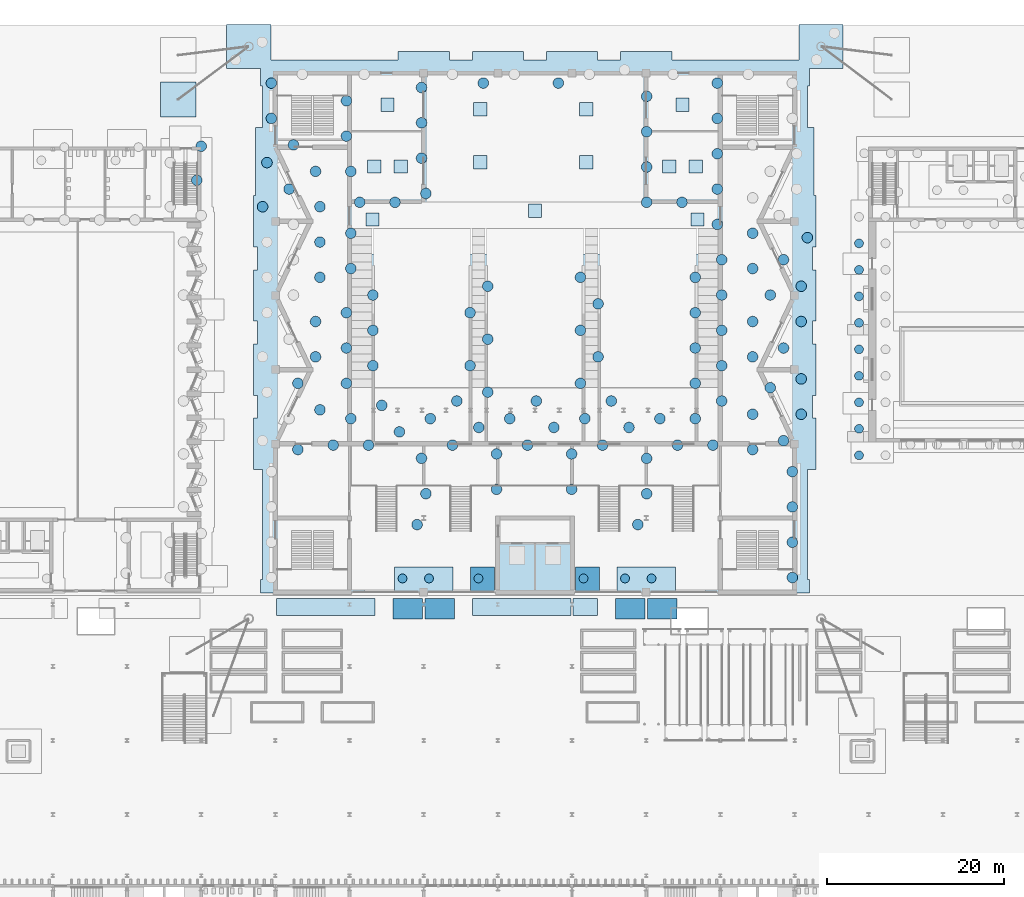
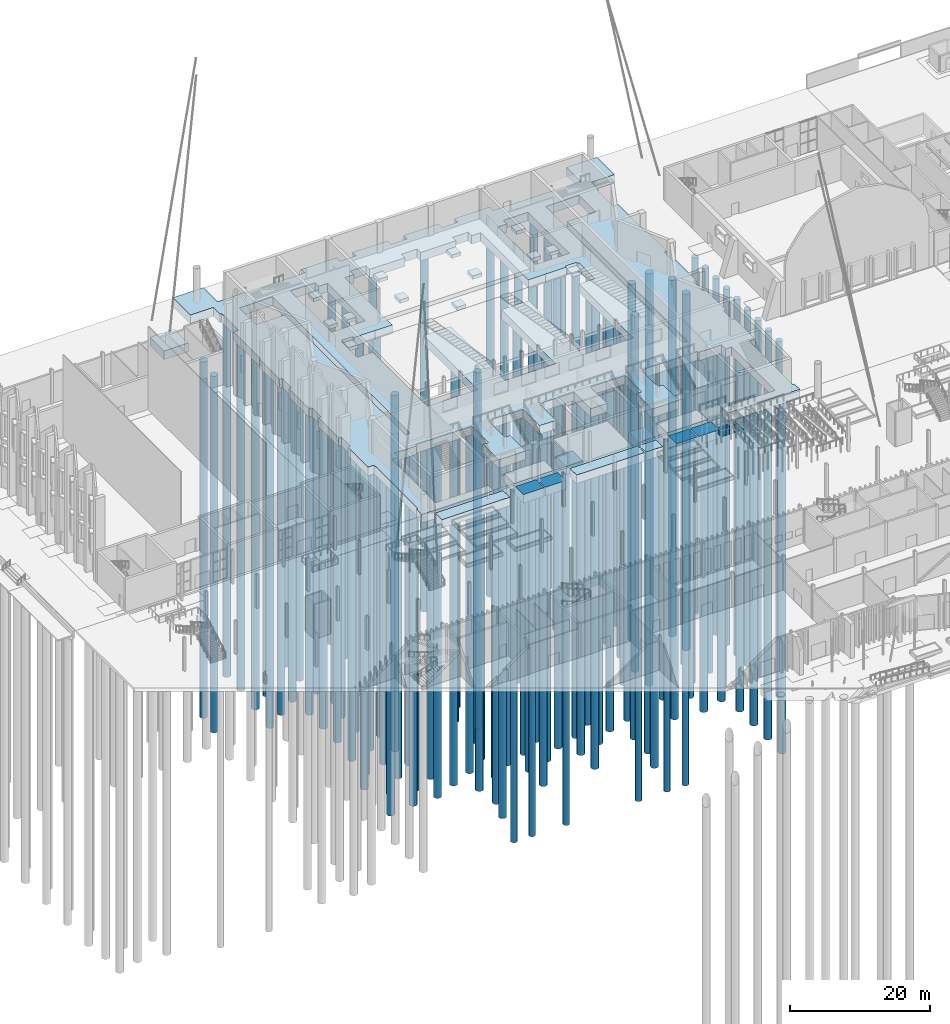
# One storey, part 2 of 108: 131 piles, 25 footings.
"""IFC4 building model written with IfcOpenShell, lengths in metres."""

import ifcopenshell
import ifcopenshell.guid

model = None  # the IFC model being written
_history = None  # IfcOwnerHistory: only IFC2X3 demands one
_inside = {}  # id of a spatial element -> (the spatial element, [elements in it])
_under = {}  # id of a project, library or spatial element -> (it, [spatial elements below it])
_declared = {}  # id of a project -> (the project, [libraries it declares])
_typed = {}  # id of a type object -> (the type object, [elements of that type])
_made_of = {}  # id of a material, layer set ... -> (it, [elements and type objects made of it])


def new_model(schema):
    """Start an empty IFC model of exactly this schema.

    Asked for "IFC4X3", IfcOpenShell would pick the latest addendum, in which some entities
    have other attributes; the version numbers below select the first issue.
    IFC2X3 requires an IfcOwnerHistory on every rooted entity: one is made here for all.
    """
    global model, _history
    if schema == "IFC4X3":
        model = ifcopenshell.file(schema_version=(4, 3, 0, 0))
    else:
        model = ifcopenshell.file(schema=schema)
    _inside.clear()
    _under.clear()
    _declared.clear()
    _typed.clear()
    _made_of.clear()
    _history = None
    if model.schema == "IFC2X3":
        org = make("IfcOrganization", Name="unknown")
        user = make(
            "IfcPersonAndOrganization",
            ThePerson=make("IfcPerson", FamilyName="unknown"),
            TheOrganization=org,
        )
        app = make(
            "IfcApplication",
            ApplicationDeveloper=org,
            Version="unknown",
            ApplicationFullName="unknown",
            ApplicationIdentifier="unknown",
        )
        _history = make(
            "IfcOwnerHistory",
            OwningUser=user,
            OwningApplication=app,
            ChangeAction="ADDED",
            CreationDate=0,
        )
    return model


def make(cls, **values):
    """One entity of the class cls with the attributes given. An attribute that is None is left unset."""
    return model.create_entity(
        cls, **{name: value for name, value in values.items() if value is not None}
    )


def rooted(cls, **values):
    """An entity with a GlobalId (a new one), such as an element, a storey or a relation."""
    return make(cls, GlobalId=ifcopenshell.guid.new(), OwnerHistory=_history, **values)


def si_unit(unit_type, name, prefix=None):
    """IfcSIUnit, for example si_unit("LENGTHUNIT", "METRE", prefix="MILLI")."""
    return make("IfcSIUnit", UnitType=unit_type, Prefix=prefix, Name=name)


def assignment(units):
    """IfcUnitAssignment: the units of a project."""
    return None if units is None else make("IfcUnitAssignment", Units=units)


def point(xyz):
    """IfcCartesianPoint."""
    return None if xyz is None else make("IfcCartesianPoint", Coordinates=xyz)


def direction(xyz):
    """IfcDirection."""
    return None if xyz is None else make("IfcDirection", DirectionRatios=xyz)


def frame(location, z_axis=None, x_axis=None):
    """IfcAxis2Placement3D, a coordinate frame: its origin and axes. An axis left out is left unset."""
    return make(
        "IfcAxis2Placement3D",
        Location=point(location),
        Axis=direction(z_axis),
        RefDirection=direction(x_axis),
    )


def frame_2d(location, x_axis=None):
    """IfcAxis2Placement2D, a coordinate frame in the plane: its origin and x axis."""
    return make(
        "IfcAxis2Placement2D", Location=point(location), RefDirection=direction(x_axis)
    )


def origin():
    """The frame at (0, 0, 0) with its axes left unset."""
    return frame((0.0, 0.0, 0.0))


def origin_2d():
    """The frame at (0, 0) in the plane with its x axis left unset."""
    return frame_2d((0.0, 0.0))


def place(relative_to, where):
    """IfcLocalPlacement: puts the frame where relative to a parent placement (None: the world)."""
    return make(
        "IfcLocalPlacement", PlacementRelTo=relative_to, RelativePlacement=where
    )


def context(
    kind, dimensions, precision=None, world=None, true_north=None, identifier=None
):
    """IfcGeometricRepresentationContext, for example the 3D "Model" context."""
    return make(
        "IfcGeometricRepresentationContext",
        ContextIdentifier=identifier,
        ContextType=kind,
        CoordinateSpaceDimension=dimensions,
        Precision=precision,
        WorldCoordinateSystem=world,
        TrueNorth=true_north,
    )


def subcontext(parent, identifier, kind, view, scale=None):
    """IfcGeometricRepresentationSubContext, for example "Body" below "Model"."""
    return make(
        "IfcGeometricRepresentationSubContext",
        ContextIdentifier=identifier,
        ContextType=kind,
        ParentContext=parent,
        TargetScale=scale,
        TargetView=view,
    )


def project(units=None, contexts=None):
    """IfcProject with its units and contexts."""
    return rooted(
        "IfcProject",
        Name="project",
        RepresentationContexts=contexts,
        UnitsInContext=assignment(units),
    )


def spatial(cls, under=None, at=None, **own):
    """A site, building, storey or space (cls), placed at a placement, below another one or the project."""
    s = rooted(cls, ObjectPlacement=at, **own)
    if under is not None:
        _under.setdefault(under.id(), (under, []))[1].append(s)
    return s


def polyline(points):
    """IfcPolyline through the points."""
    return make("IfcPolyline", Points=[point(p) for p in points])


def profile(cls, at=None, kind="AREA", **sizes):
    """A parametric profile (cls). Its sizes go by their IFC names, for example OverallWidth=200.0."""
    return make(cls, ProfileType=kind, Position=at, **sizes)


def rectangle(**sizes):
    """IfcRectangleProfileDef."""
    return profile("IfcRectangleProfileDef", **sizes)


def circle(**sizes):
    """IfcCircleProfileDef."""
    return profile("IfcCircleProfileDef", **sizes)


def outline(outer, holes=None, kind="AREA"):
    """IfcArbitraryClosedProfileDef: a profile drawn as a closed curve; with holes, ...WithVoids."""
    if holes is None:
        return make("IfcArbitraryClosedProfileDef", ProfileType=kind, OuterCurve=outer)
    return make(
        "IfcArbitraryProfileDefWithVoids",
        ProfileType=kind,
        OuterCurve=outer,
        InnerCurves=holes,
    )


def extrude(swept, where, along, depth):
    """IfcExtrudedAreaSolid: the profile swept, set in the frame where, extruded along a direction by depth."""
    return make(
        "IfcExtrudedAreaSolid",
        SweptArea=swept,
        Position=where,
        ExtrudedDirection=direction(along),
        Depth=depth,
    )


def shape(context_of_items, identifier, shape_type, items):
    """IfcShapeRepresentation: the items that make up one representation, for example the "Body"."""
    return make(
        "IfcShapeRepresentation",
        ContextOfItems=context_of_items,
        RepresentationIdentifier=identifier,
        RepresentationType=shape_type,
        Items=items,
    )


def material(Name=None, Category=None):
    """IfcMaterial."""
    return make("IfcMaterial", Name=Name, Category=Category)


def made_of(thing, what):
    """Note that an element or type object is made of a material, layer set ...; save() writes the relation."""
    if what is not None:
        _made_of.setdefault(what.id(), (what, []))[1].append(thing)
    return thing


def type_object(cls, material=None, **own):
    """A type object (cls), such as IfcWallType, which elements share."""
    return made_of(rooted(cls, **own), material)


def element(
    cls,
    number,
    at=None,
    inside=None,
    cuts=None,
    type_object=None,
    material=None,
    context=None,
    identifier="Body",
    shape_type=None,
    held_by="IfcProductDefinitionShape",
    body=None,
    shapes=None,
    **own,
):
    """One element of the class cls, such as IfcWall. Its Tag is "e" and its number.

    at: its placement. inside: the storey or other place that contains it. cuts: it is an
    opening in that element (IfcRelVoidsElement). A single representation is given by context,
    identifier, shape_type and body (its items); several are given by shapes. held_by: the class
    of the entity that holds the representations. save() writes the other relations.
    """
    e = rooted(cls, Tag="e%d" % number, ObjectPlacement=at, **own)
    if body is not None:
        shapes = [shape(context, identifier, shape_type, body)]
    if shapes is not None:
        e.Representation = make(held_by, Representations=shapes)
    if inside is not None:
        _inside.setdefault(inside.id(), (inside, []))[1].append(e)
    if cuts is not None:
        rooted(
            "IfcRelVoidsElement", RelatingBuildingElement=cuts, RelatedOpeningElement=e
        )
    if type_object is not None:
        _typed.setdefault(type_object.id(), (type_object, []))[1].append(e)
    return made_of(e, material)


def aggregate(whole, parts):
    """IfcRelAggregates: a whole, such as a stair, and the parts it consists of."""
    return rooted("IfcRelAggregates", RelatingObject=whole, RelatedObjects=parts)


def save(model, path):
    """Write the relations noted so far, then the file.

    IfcRelAggregates (storeys below a building ...), IfcRelContainedInSpatialStructure (elements
    in a storey), IfcRelDefinesByType, IfcRelAssociatesMaterial and IfcRelDeclares: one each for
    every whole, place, type object, material and project.
    """
    for whole, parts in _under.values():
        aggregate(whole, parts)
    for where, things in _inside.values():
        rooted(
            "IfcRelContainedInSpatialStructure",
            RelatedElements=things,
            RelatingStructure=where,
        )
    for kind, things in _typed.values():
        rooted("IfcRelDefinesByType", RelatedObjects=things, RelatingType=kind)
    for what, things in _made_of.values():
        rooted("IfcRelAssociatesMaterial", RelatedObjects=things, RelatingMaterial=what)
    for by, libraries in _declared.values():
        rooted("IfcRelDeclares", RelatingContext=by, RelatedDefinitions=libraries)
    model.write(path)


model = new_model("IFC4")

# Units and contexts
model_context = context("Model", 3, precision=1e-05, world=origin(), true_north=direction((0.0, 1.0)))
body_context = subcontext(model_context, "Body", "Model", "MODEL_VIEW")
ifc_project = project(units=[si_unit("LENGTHUNIT", "METRE"), si_unit("AREAUNIT", "SQUARE_METRE"), si_unit("VOLUMEUNIT", "CUBIC_METRE"), si_unit("PLANEANGLEUNIT", "RADIAN"), si_unit("MASSUNIT", "GRAM", prefix="KILO")], contexts=[model_context])

# Site, building, storey
site_placement = place(None, origin())
site = spatial("IfcSite", under=ifc_project, at=site_placement, CompositionType="ELEMENT")
building_placement = place(site_placement, origin())
building = spatial("IfcBuilding", under=site, at=building_placement, Name="Cresset Court Congress Hotel", CompositionType="ELEMENT")
storey_placement = place(building_placement, origin())
storey = spatial("IfcBuildingStorey", under=building, at=storey_placement, Name="L00", CompositionType="ELEMENT", Elevation=0.0)

# Footing
ifc_material_1 = material(Name="Concrete C35", Category="concrete")
footing_type_1 = type_object("IfcFootingType", Name="Anchor block 4000x4000x1500", PredefinedType="PAD_FOOTING", material=ifc_material_1)
footing_1_placement = place(storey_placement, frame((47.800048828125, 114.60009765625, -1.800048828125), z_axis=(0.0, 0.0, 1.0), x_axis=(1.0, 0.0, 0.0)))
element("IfcFooting", 1, at=footing_1_placement, inside=storey, type_object=footing_type_1, Name="Anchor block M4.2", PredefinedType="PAD_FOOTING", context=body_context, shape_type="SweptSolid", body=[
    extrude(rectangle(XDim=4.0, YDim=4.0, at=origin_2d()), origin(), (0.0, 0.0, 1.0), 1.5),
])

# Piles
ifc_material_2 = material(Name="Concrete C35", Category="concrete")
pile_type_1 = type_object("IfcPileType", Name="Bored pile D1000", PredefinedType="BORED", material=ifc_material_2)
for number, where, z_axis, x_axis, name in (
    (2, (73.199951171875, 60.35009765625, -1.39990234375), (0.0, 0.0, -1.0), (1.0, 0.0, 0.0), "Pile 135-1"),
    (3, (76.199951171875, 60.35009765625, -1.39990234375), (0.0, 0.0, -1.0), (1.0, 0.0, 0.0), "Pile 135-2"),
    (4, (81.800048828125, 60.35009765625, -1.39990234375), (0.0, 0.0, -1.0), (1.0, 0.0, 0.0), "Pile 137-1"),
    (5, (93.699951171875, 60.35009765625, -1.39990234375), (0.0, 0.0, -1.0), (1.0, 0.0, 0.0), "Pile 138-1"),
    (6, (98.39990234375, 60.35009765625, -1.39990234375), (0.0, 0.0, -1.0), (1.0, 0.0, 0.0), "Pile 140-1"),
    (7, (101.39990234375, 60.35009765625, -1.39990234375), (0.0, 0.0, -1.0), (1.0, 0.0, 0.0), "Pile 140-2"),
    (8, (124.89990234375, 74.300048828125, -2.800048828125), (0.0, 0.0, -1.0), (1.0, 0.0, 0.0), "Pile 143-1"),
    (9, (124.89990234375, 77.300048828125, -2.800048828125), (0.0, 0.0, -1.0), (1.0, 0.0, 0.0), "Pile 143-3"),
    (10, (124.89990234375, 80.300048828125, -2.800048828125), (0.0, 0.0, -1.0), (1.0, 0.0, 0.0), "Pile 143-5"),
    (11, (124.89990234375, 83.300048828125, -2.800048828125), (0.0, 0.0, -1.0), (1.0, 0.0, 0.0), "Pile 143-7"),
    (12, (124.89990234375, 86.300048828125, -2.800048828125), (0.0, 0.0, -1.0), (1.0, 0.0, 0.0), "Pile 143-9"),
    (13, (124.89990234375, 89.300048828125, -2.800048828125), (0.0, 0.0, -1.0), (1.0, 0.0, 0.0), "Pile 143-11"),
    (14, (124.89990234375, 92.300048828125, -2.800048828125), (0.0, 0.0, -1.0), (1.0, 0.0, 0.0), "Pile 143-13"),
    (15, (124.89990234375, 95.300048828125, -2.800048828125), (0.0, 0.0, -1.0), (1.0, 0.0, 0.0), "Pile 143-15"),
    (16, (124.89990234375, 98.300048828125, -2.800048828125), (0.0, 0.0, -1.0), (1.0, 0.0, 0.0), "Pile 143-17"),
):
    element("IfcPile", number, at=place(storey_placement, frame(where, z_axis=z_axis, x_axis=x_axis)), inside=storey, type_object=pile_type_1, Name=name, PredefinedType="BORED", context=body_context, shape_type="SweptSolid", body=[
        extrude(circle(Radius=0.5, at=origin_2d()), origin(), (0.0, 0.0, 1.0), 62.0),
    ])
ifc_material_3 = material(Name="Concrete C35", Category="concrete")
pile_type_2 = type_object("IfcPileType", Name="Bored pile D1200", PredefinedType="BORED", material=ifc_material_3)
for number, where, z_axis, x_axis, name in (
    (17, (49.89990234375, 105.449951171875, -1.39990234375), (0.0, 0.0, -1.0), (1.0, 0.0, 0.0), "Pile 121-48"),
    (18, (50.39990234375, 109.300048828125, -1.39990234375), (0.0, 0.0, -1.0), (1.0, 0.0, 0.0), "Pile 121-52"),
    (19, (117.35009765625, 60.449951171875, -1.39990234375), (0.0, 0.0, -1.0), (1.0, 0.0, 0.0), "Pile 131-2"),
    (20, (117.35009765625, 64.449951171875, -1.39990234375), (0.0, 0.0, -1.0), (1.0, 0.0, 0.0), "Pile 131-4"),
    (21, (74.85009765625, 66.449951171875, -1.39990234375), (0.0, 0.0, -1.0), (1.0, 0.0, 0.0), "Pile 131-5"),
    (22, (99.85009765625, 66.449951171875, -1.39990234375), (0.0, 0.0, -1.0), (1.0, 0.0, 0.0), "Pile 131-6"),
    (23, (117.35009765625, 68.449951171875, -1.39990234375), (0.0, 0.0, -1.0), (1.0, 0.0, 0.0), "Pile 131-8"),
    (24, (75.85009765625, 69.949951171875, -1.39990234375), (0.0, 0.0, -1.0), (1.0, 0.0, 0.0), "Pile 131-9"),
    (25, (100.85009765625, 69.949951171875, -1.39990234375), (0.0, 0.0, -1.0), (1.0, 0.0, 0.0), "Pile 131-10"),
    (26, (83.85009765625, 70.449951171875, -1.39990234375), (0.0, 0.0, -1.0), (1.0, 0.0, 0.0), "Pile 131-11"),
    (27, (92.35009765625, 70.449951171875, -1.39990234375), (0.0, 0.0, -1.0), (1.0, 0.0, 0.0), "Pile 131-12"),
    (28, (117.35009765625, 72.449951171875, -1.39990234375), (0.0, 0.0, -1.0), (1.0, 0.0, 0.0), "Pile 131-14"),
    (29, (75.35009765625, 73.949951171875, -1.39990234375), (0.0, 0.0, -1.0), (1.0, 0.0, 0.0), "Pile 131-15"),
    (30, (100.85009765625, 73.949951171875, -1.39990234375), (0.0, 0.0, -1.0), (1.0, 0.0, 0.0), "Pile 131-16"),
    (31, (83.85009765625, 74.449951171875, -1.39990234375), (0.0, 0.0, -1.0), (1.0, 0.0, 0.0), "Pile 131-17"),
    (32, (92.35009765625, 74.449951171875, -1.39990234375), (0.0, 0.0, -1.0), (1.0, 0.0, 0.0), "Pile 131-18"),
    (33, (61.35009765625, 74.949951171875, -1.39990234375), (0.0, 0.0, -1.0), (1.0, 0.0, 0.0), "Pile 131-19"),
    (34, (112.85009765625, 74.949951171875, -1.39990234375), (0.0, 0.0, -1.0), (1.0, 0.0, 0.0), "Pile 131-20"),
    (35, (65.35009765625, 75.449951171875, -1.39990234375), (0.0, 0.0, -1.0), (1.0, 0.0, 0.0), "Pile 131-21"),
    (36, (69.35009765625, 75.449951171875, -1.39990234375), (0.0, 0.0, -1.0), (1.0, 0.0, 0.0), "Pile 131-22"),
    (37, (78.85009765625, 75.449951171875, -1.39990234375), (0.0, 0.0, -1.0), (1.0, 0.0, 0.0), "Pile 131-23"),
    (38, (87.35009765625, 75.449951171875, -1.39990234375), (0.0, 0.0, -1.0), (1.0, 0.0, 0.0), "Pile 131-24"),
    (39, (95.85009765625, 75.449951171875, -1.39990234375), (0.0, 0.0, -1.0), (1.0, 0.0, 0.0), "Pile 131-25"),
    (40, (104.35009765625, 75.449951171875, -1.39990234375), (0.0, 0.0, -1.0), (1.0, 0.0, 0.0), "Pile 131-26"),
    (41, (108.35009765625, 75.449951171875, -1.39990234375), (0.0, 0.0, -1.0), (1.0, 0.0, 0.0), "Pile 131-27"),
    (42, (116.35009765625, 75.949951171875, -1.39990234375), (0.0, 0.0, -1.0), (1.0, 0.0, 0.0), "Pile 131-29"),
    (43, (72.85009765625, 76.949951171875, -1.39990234375), (0.0, 0.0, -1.0), (1.0, 0.0, 0.0), "Pile 131-30"),
    (44, (81.85009765625, 77.449951171875, -1.39990234375), (0.0, 0.0, -1.0), (1.0, 0.0, 0.0), "Pile 131-31"),
    (45, (90.35009765625, 77.449951171875, -1.39990234375), (0.0, 0.0, -1.0), (1.0, 0.0, 0.0), "Pile 131-32"),
    (46, (98.85009765625, 77.449951171875, -1.39990234375), (0.0, 0.0, -1.0), (1.0, 0.0, 0.0), "Pile 131-33"),
    (47, (67.35009765625, 78.449951171875, -1.39990234375), (0.0, 0.0, -1.0), (1.0, 0.0, 0.0), "Pile 131-35"),
    (48, (76.35009765625, 78.449951171875, -1.39990234375), (0.0, 0.0, -1.0), (1.0, 0.0, 0.0), "Pile 131-36"),
    (49, (85.35009765625, 78.449951171875, -1.39990234375), (0.0, 0.0, -1.0), (1.0, 0.0, 0.0), "Pile 131-37"),
    (50, (93.85009765625, 78.449951171875, -1.39990234375), (0.0, 0.0, -1.0), (1.0, 0.0, 0.0), "Pile 131-38"),
    (51, (102.35009765625, 78.449951171875, -1.39990234375), (0.0, 0.0, -1.0), (1.0, 0.0, 0.0), "Pile 131-39"),
    (52, (106.35009765625, 78.449951171875, -1.39990234375), (0.0, 0.0, -1.0), (1.0, 0.0, 0.0), "Pile 131-40"),
    (53, (112.85009765625, 78.949951171875, -1.39990234375), (0.0, 0.0, -1.0), (1.0, 0.0, 0.0), "Pile 131-41"),
    (54, (118.35009765625, 78.949951171875, -1.39990234375), (0.0, 0.0, -1.0), (1.0, 0.0, 0.0), "Pile 131-42"),
    (55, (63.85009765625, 79.449951171875, -1.39990234375), (0.0, 0.0, -1.0), (1.0, 0.0, 0.0), "Pile 131-43"),
    (56, (70.85009765625, 79.949951171875, -1.39990234375), (0.0, 0.0, -1.0), (1.0, 0.0, 0.0), "Pile 131-44"),
    (57, (79.35009765625, 80.449951171875, -1.39990234375), (0.0, 0.0, -1.0), (1.0, 0.0, 0.0), "Pile 131-45"),
    (58, (88.35009765625, 80.449951171875, -1.39990234375), (0.0, 0.0, -1.0), (1.0, 0.0, 0.0), "Pile 131-46"),
    (59, (96.85009765625, 80.449951171875, -1.39990234375), (0.0, 0.0, -1.0), (1.0, 0.0, 0.0), "Pile 131-47"),
    (60, (109.35009765625, 80.449951171875, -1.39990234375), (0.0, 0.0, -1.0), (1.0, 0.0, 0.0), "Pile 131-48"),
    (61, (82.85009765625, 81.449951171875, -1.39990234375), (0.0, 0.0, -1.0), (1.0, 0.0, 0.0), "Pile 131-50"),
    (62, (114.85009765625, 81.949951171875, -1.39990234375), (0.0, 0.0, -1.0), (1.0, 0.0, 0.0), "Pile 131-51"),
    (63, (61.35009765625, 82.449951171875, -1.39990234375), (0.0, 0.0, -1.0), (1.0, 0.0, 0.0), "Pile 131-52"),
    (64, (66.85009765625, 82.449951171875, -1.39990234375), (0.0, 0.0, -1.0), (1.0, 0.0, 0.0), "Pile 131-53"),
    (65, (93.35009765625, 82.449951171875, -1.39990234375), (0.0, 0.0, -1.0), (1.0, 0.0, 0.0), "Pile 131-54"),
    (66, (106.35009765625, 82.449951171875, -1.39990234375), (0.0, 0.0, -1.0), (1.0, 0.0, 0.0), "Pile 131-55"),
    (67, (118.35009765625, 82.949951171875, -1.39990234375), (0.0, 0.0, -1.0), (1.0, 0.0, 0.0), "Pile 131-56"),
    (68, (69.85009765625, 84.449951171875, -1.39990234375), (0.0, 0.0, -1.0), (1.0, 0.0, 0.0), "Pile 131-57"),
    (69, (80.85009765625, 84.449951171875, -1.39990234375), (0.0, 0.0, -1.0), (1.0, 0.0, 0.0), "Pile 131-58"),
    (70, (109.35009765625, 84.449951171875, -1.39990234375), (0.0, 0.0, -1.0), (1.0, 0.0, 0.0), "Pile 131-59"),
    (71, (63.35009765625, 85.449951171875, -1.39990234375), (0.0, 0.0, -1.0), (1.0, 0.0, 0.0), "Pile 131-61"),
    (72, (95.35009765625, 85.449951171875, -1.39990234375), (0.0, 0.0, -1.0), (1.0, 0.0, 0.0), "Pile 131-62"),
    (73, (112.85009765625, 85.449951171875, -1.39990234375), (0.0, 0.0, -1.0), (1.0, 0.0, 0.0), "Pile 131-63"),
    (74, (66.85009765625, 86.449951171875, -1.39990234375), (0.0, 0.0, -1.0), (1.0, 0.0, 0.0), "Pile 131-64"),
    (75, (106.35009765625, 86.449951171875, -1.39990234375), (0.0, 0.0, -1.0), (1.0, 0.0, 0.0), "Pile 131-65"),
    (76, (116.35009765625, 86.449951171875, -1.39990234375), (0.0, 0.0, -1.0), (1.0, 0.0, 0.0), "Pile 131-66"),
    (77, (82.85009765625, 87.449951171875, -1.39990234375), (0.0, 0.0, -1.0), (1.0, 0.0, 0.0), "Pile 131-68"),
    (78, (69.85009765625, 88.449951171875, -1.39990234375), (0.0, 0.0, -1.0), (1.0, 0.0, 0.0), "Pile 131-69"),
    (79, (93.35009765625, 88.449951171875, -1.39990234375), (0.0, 0.0, -1.0), (1.0, 0.0, 0.0), "Pile 131-70"),
    (80, (109.35009765625, 88.449951171875, -1.39990234375), (0.0, 0.0, -1.0), (1.0, 0.0, 0.0), "Pile 131-71"),
    (81, (63.35009765625, 89.449951171875, -1.39990234375), (0.0, 0.0, -1.0), (1.0, 0.0, 0.0), "Pile 131-72"),
    (82, (112.85009765625, 89.449951171875, -1.39990234375), (0.0, 0.0, -1.0), (1.0, 0.0, 0.0), "Pile 131-73"),
    (83, (118.35009765625, 89.449951171875, -1.39990234375), (0.0, 0.0, -1.0), (1.0, 0.0, 0.0), "Pile 131-74"),
    (84, (66.85009765625, 90.449951171875, -1.39990234375), (0.0, 0.0, -1.0), (1.0, 0.0, 0.0), "Pile 131-76"),
    (85, (80.85009765625, 90.449951171875, -1.39990234375), (0.0, 0.0, -1.0), (1.0, 0.0, 0.0), "Pile 131-77"),
    (86, (106.35009765625, 90.449951171875, -1.39990234375), (0.0, 0.0, -1.0), (1.0, 0.0, 0.0), "Pile 131-78"),
    (87, (95.35009765625, 91.449951171875, -1.39990234375), (0.0, 0.0, -1.0), (1.0, 0.0, 0.0), "Pile 131-79"),
    (88, (69.85009765625, 92.449951171875, -1.39990234375), (0.0, 0.0, -1.0), (1.0, 0.0, 0.0), "Pile 131-81"),
    (89, (109.35009765625, 92.449951171875, -1.39990234375), (0.0, 0.0, -1.0), (1.0, 0.0, 0.0), "Pile 131-82"),
    (90, (114.85009765625, 92.449951171875, -1.39990234375), (0.0, 0.0, -1.0), (1.0, 0.0, 0.0), "Pile 131-83"),
    (91, (82.85009765625, 93.449951171875, -1.39990234375), (0.0, 0.0, -1.0), (1.0, 0.0, 0.0), "Pile 131-84"),
    (92, (118.35009765625, 93.449951171875, -1.39990234375), (0.0, 0.0, -1.0), (1.0, 0.0, 0.0), "Pile 131-85"),
    (93, (63.85009765625, 94.449951171875, -1.39990234375), (0.0, 0.0, -1.0), (1.0, 0.0, 0.0), "Pile 131-87"),
    (94, (93.35009765625, 94.449951171875, -1.39990234375), (0.0, 0.0, -1.0), (1.0, 0.0, 0.0), "Pile 131-88"),
    (95, (106.35009765625, 94.449951171875, -1.39990234375), (0.0, 0.0, -1.0), (1.0, 0.0, 0.0), "Pile 131-89"),
    (96, (67.35009765625, 95.449951171875, -1.39990234375), (0.0, 0.0, -1.0), (1.0, 0.0, 0.0), "Pile 131-90"),
    (97, (112.85009765625, 95.449951171875, -1.39990234375), (0.0, 0.0, -1.0), (1.0, 0.0, 0.0), "Pile 131-91"),
    (98, (109.35009765625, 96.449951171875, -1.39990234375), (0.0, 0.0, -1.0), (1.0, 0.0, 0.0), "Pile 131-93"),
    (99, (116.35009765625, 96.449951171875, -1.39990234375), (0.0, 0.0, -1.0), (1.0, 0.0, 0.0), "Pile 131-94"),
    (100, (63.85009765625, 98.449951171875, -1.39990234375), (0.0, 0.0, -1.0), (1.0, 0.0, 0.0), "Pile 131-96"),
    (101, (119.050048828125, 98.949951171875, -1.39990234375), (0.0, 0.0, -1.0), (1.0, 0.0, 0.0), "Pile 131-97"),
    (102, (67.35009765625, 99.449951171875, -1.39990234375), (0.0, 0.0, -1.0), (1.0, 0.0, 0.0), "Pile 131-98"),
    (103, (112.85009765625, 99.449951171875, -1.39990234375), (0.0, 0.0, -1.0), (1.0, 0.0, 0.0), "Pile 131-99"),
    (104, (108.85009765625, 100.449951171875, -1.39990234375), (0.0, 0.0, -1.0), (1.0, 0.0, 0.0), "Pile 131-101"),
    (105, (57.35009765625, 102.449951171875, -1.39990234375), (0.0, 0.0, -1.0), (1.0, 0.0, 0.0), "Pile 131-103"),
    (106, (63.85009765625, 102.449951171875, -1.39990234375), (0.0, 0.0, -1.0), (1.0, 0.0, 0.0), "Pile 131-104"),
    (107, (68.35009765625, 102.949951171875, -1.39990234375), (0.0, 0.0, -1.0), (1.0, 0.0, 0.0), "Pile 131-105"),
    (108, (72.35009765625, 102.949951171875, -1.39990234375), (0.0, 0.0, -1.0), (1.0, 0.0, 0.0), "Pile 131-106"),
    (109, (100.85009765625, 102.949951171875, -1.39990234375), (0.0, 0.0, -1.0), (1.0, 0.0, 0.0), "Pile 131-107"),
    (110, (104.85009765625, 102.949951171875, -1.39990234375), (0.0, 0.0, -1.0), (1.0, 0.0, 0.0), "Pile 131-108"),
    (111, (75.85009765625, 103.949951171875, -1.39990234375), (0.0, 0.0, -1.0), (1.0, 0.0, 0.0), "Pile 131-110"),
    (112, (60.35009765625, 104.449951171875, -1.39990234375), (0.0, 0.0, -1.0), (1.0, 0.0, 0.0), "Pile 131-111"),
    (113, (108.85009765625, 104.449951171875, -1.39990234375), (0.0, 0.0, -1.0), (1.0, 0.0, 0.0), "Pile 131-112"),
    (114, (63.35009765625, 106.449951171875, -1.39990234375), (0.0, 0.0, -1.0), (1.0, 0.0, 0.0), "Pile 131-114"),
    (115, (67.35009765625, 106.449951171875, -1.39990234375), (0.0, 0.0, -1.0), (1.0, 0.0, 0.0), "Pile 131-115"),
    (116, (100.85009765625, 106.949951171875, -1.39990234375), (0.0, 0.0, -1.0), (1.0, 0.0, 0.0), "Pile 131-117"),
    (117, (57.85009765625, 107.449951171875, -1.39990234375), (0.0, 0.0, -1.0), (1.0, 0.0, 0.0), "Pile 131-118"),
    (118, (75.35009765625, 107.949951171875, -1.39990234375), (0.0, 0.0, -1.0), (1.0, 0.0, 0.0), "Pile 131-119"),
    (119, (108.85009765625, 108.449951171875, -1.39990234375), (0.0, 0.0, -1.0), (1.0, 0.0, 0.0), "Pile 131-120"),
    (120, (60.85009765625, 109.449951171875, -1.39990234375), (0.0, 0.0, -1.0), (1.0, 0.0, 0.0), "Pile 131-122"),
    (121, (66.85009765625, 110.449951171875, -1.39990234375), (0.0, 0.0, -1.0), (1.0, 0.0, 0.0), "Pile 131-124"),
    (122, (100.85009765625, 110.949951171875, -1.39990234375), (0.0, 0.0, -1.0), (1.0, 0.0, 0.0), "Pile 131-125"),
    (123, (75.35009765625, 111.949951171875, -1.39990234375), (0.0, 0.0, -1.0), (1.0, 0.0, 0.0), "Pile 131-126"),
    (124, (58.35009765625, 112.449951171875, -1.39990234375), (0.0, 0.0, -1.0), (1.0, 0.0, 0.0), "Pile 131-127"),
    (125, (108.85009765625, 112.449951171875, -1.39990234375), (0.0, 0.0, -1.0), (1.0, 0.0, 0.0), "Pile 131-128"),
    (126, (66.85009765625, 114.449951171875, -1.39990234375), (0.0, 0.0, -1.0), (1.0, 0.0, 0.0), "Pile 131-130"),
    (127, (100.85009765625, 114.949951171875, -1.39990234375), (0.0, 0.0, -1.0), (1.0, 0.0, 0.0), "Pile 131-131"),
    (128, (75.35009765625, 115.949951171875, -1.39990234375), (0.0, 0.0, -1.0), (1.0, 0.0, 0.0), "Pile 131-132"),
    (129, (58.35009765625, 116.449951171875, -1.39990234375), (0.0, 0.0, -1.0), (1.0, 0.0, 0.0), "Pile 131-133"),
    (130, (82.35009765625, 116.449951171875, -1.39990234375), (0.0, 0.0, -1.0), (1.0, 0.0, 0.0), "Pile 131-134"),
    (131, (90.85009765625, 116.449951171875, -1.39990234375), (0.0, 0.0, -1.0), (1.0, 0.0, 0.0), "Pile 131-135"),
    (132, (108.85009765625, 116.449951171875, -1.39990234375), (0.0, 0.0, -1.0), (1.0, 0.0, 0.0), "Pile 131-136"),
):
    element("IfcPile", number, at=place(storey_placement, frame(where, z_axis=z_axis, x_axis=x_axis)), inside=storey, type_object=pile_type_2, Name=name, PredefinedType="BORED", context=body_context, shape_type="SweptSolid", body=[
        extrude(circle(Radius=0.60009765625, at=origin_2d()), origin(), (0.0, 0.0, 1.0), 62.0),
    ])

# Footings
ifc_material_4 = material(Name="Concrete C35", Category="concrete")
footing_type_2 = type_object("IfcFootingType", Name="Ground pad 11.18x1.93", PredefinedType="PAD_FOOTING", material=ifc_material_4)
footing_2_placement = place(storey_placement, frame((0.0, 0.0, -1.5)))
element("IfcFooting", 133, at=footing_2_placement, inside=storey, type_object=footing_type_2, Name="Ground pad GP132", PredefinedType="PAD_FOOTING", context=body_context, shape_type="SweptSolid", body=[
    extrude(outline(polyline([(58.919921875, 56.14990234375), (58.919921875, 58.080078125), (70.10009765625, 58.080078125), (70.10009765625, 56.14990234375), (58.919921875, 56.14990234375)])), origin(), (0.0, 0.0, 1.0), 1.5),
])
ifc_material_5 = material(Name="Concrete C35", Category="concrete")
footing_type_3 = type_object("IfcFootingType", Name="Ground pad 3.38x2.33", PredefinedType="PAD_FOOTING", material=ifc_material_5)
footing_3_placement = place(storey_placement, frame((0.0, 0.0, -1.5)))
element("IfcFooting", 134, at=footing_3_placement, inside=storey, type_object=footing_type_3, Name="Ground pad GP139", PredefinedType="PAD_FOOTING", context=body_context, shape_type="SweptSolid", body=[
    extrude(outline(polyline([(100.679931640625, 58.080078125), (100.679931640625, 55.75), (97.300048828125, 55.75), (97.300048828125, 58.080078125), (100.679931640625, 58.080078125)])), origin(), (0.0, 0.0, 1.0), 1.5),
])
footing_4_placement = place(storey_placement, frame((0.0, 0.0, -1.5)))
element("IfcFooting", 135, at=footing_4_placement, inside=storey, type_object=footing_type_3, Name="Ground pad GP141", PredefinedType="PAD_FOOTING", context=body_context, shape_type="SweptSolid", body=[
    extrude(outline(polyline([(100.919921875, 55.75), (100.919921875, 58.080078125), (104.300048828125, 58.080078125), (104.300048828125, 55.75), (100.919921875, 55.75)])), origin(), (0.0, 0.0, 1.0), 1.5),
])
ifc_material_6 = material(Name="Concrete C35", Category="concrete")
footing_type_4 = type_object("IfcFootingType", Name="Ground pad group 15.8 m2", PredefinedType="PAD_FOOTING", material=ifc_material_6)
footing_5_placement = place(storey_placement, frame((0.0, 0.0, -1.5)))
element("IfcFooting", 136, at=footing_5_placement, inside=storey, type_object=footing_type_4, Name="Ground pad GP134", PredefinedType="PAD_FOOTING", context=body_context, shape_type="SweptSolid", body=[
    extrude(outline(polyline([(76.080078125, 55.75), (75.719970703125, 55.75), (75.719970703125, 57.219970703125), (75.47998046875, 57.219970703125), (75.47998046875, 55.75), (75.1201171875, 55.75), (72.10009765625, 55.75), (72.10009765625, 58.080078125), (75.47998046875, 58.080078125), (75.47998046875, 57.580078125), (75.719970703125, 57.580078125), (75.719970703125, 58.080078125), (79.10009765625, 58.080078125), (79.10009765625, 55.75), (76.080078125, 55.75)])), origin(), (0.0, 0.0, 1.0), 1.5),
])
ifc_material_7 = material(Name="Concrete C35", Category="concrete")
footing_type_5 = type_object("IfcFootingType", Name="Ground pad group 27 m2", PredefinedType="PAD_FOOTING", material=ifc_material_7)
footing_6_placement = place(storey_placement, frame((0.0, 0.0, -1.5)))
element("IfcFooting", 137, at=footing_6_placement, inside=storey, type_object=footing_type_5, Name="Ground pad GP136", PredefinedType="PAD_FOOTING", context=body_context, shape_type="SweptSolid", body=[
    extrude(outline(polyline([(81.10009765625, 58.080078125), (92.280029296875, 58.080078125), (92.280029296875, 57.580078125), (92.52001953125, 57.580078125), (92.52001953125, 58.080078125), (95.300048828125, 58.080078125), (95.300048828125, 56.14990234375), (92.8798828125, 56.14990234375), (92.52001953125, 56.14990234375), (92.52001953125, 57.219970703125), (92.280029296875, 57.219970703125), (92.280029296875, 56.14990234375), (91.919921875, 56.14990234375), (81.10009765625, 56.14990234375), (81.10009765625, 58.080078125)])), origin(), (0.0, 0.0, 1.0), 1.5),
])
ifc_material_8 = material(Name="Concrete C35", Category="concrete")
footing_type_6 = type_object("IfcFootingType", Name="Lift pit raft 300", PredefinedType="PAD_FOOTING", material=ifc_material_8)
footing_7_placement = place(storey_placement, frame((0.0, 0.0, -1.800048828125)))
element("IfcFooting", 138, at=footing_7_placement, inside=storey, type_object=footing_type_6, Name="Lift pit raft C-P1", PredefinedType="PAD_FOOTING", context=body_context, shape_type="SweptSolid", body=[
    extrude(outline(polyline([(92.64990234375, 58.550048828125), (83.75, 58.550048828125), (83.75, 67.449951171875), (92.64990234375, 67.449951171875), (92.64990234375, 58.550048828125)])), origin(), (0.0, 0.0, 1.0), 0.300048828125),
])
ifc_material_9 = material(Name="Concrete C35", Category="concrete")
footing_type_7 = type_object("IfcFootingType", Name="Pile cap 2.7x2.93, 1 pile", PredefinedType="PILE_CAP", material=ifc_material_9)
footing_8_placement = place(storey_placement, frame((0.0, 0.0, -1.5)))
element("IfcFooting", 139, at=footing_8_placement, inside=storey, type_object=footing_type_7, Name="Pile cap PC137", PredefinedType="PILE_CAP", context=body_context, shape_type="SweptSolid", body=[
    extrude(outline(polyline([(83.60009765625, 58.719970703125), (80.89990234375, 58.719970703125), (80.89990234375, 61.64990234375), (83.60009765625, 61.64990234375), (83.60009765625, 58.719970703125)])), origin(), (0.0, 0.0, 1.0), 1.5),
])
footing_9_placement = place(storey_placement, frame((0.0, 0.0, -1.5)))
element("IfcFooting", 140, at=footing_9_placement, inside=storey, type_object=footing_type_7, Name="Pile cap PC138", PredefinedType="PILE_CAP", context=body_context, shape_type="SweptSolid", body=[
    extrude(outline(polyline([(92.800048828125, 58.719970703125), (92.800048828125, 61.64990234375), (95.5, 61.64990234375), (95.5, 58.719970703125), (92.800048828125, 58.719970703125)])), origin(), (0.0, 0.0, 1.0), 1.5),
])
ifc_material_10 = material(Name="Concrete C35", Category="concrete")
footing_type_8 = type_object("IfcFootingType", Name="Pile cap 6.6x2.93, 2 piles", PredefinedType="PILE_CAP", material=ifc_material_10)
footing_10_placement = place(storey_placement, frame((0.0, 0.0, -1.5)))
element("IfcFooting", 141, at=footing_10_placement, inside=storey, type_object=footing_type_8, Name="Pile cap PC135", PredefinedType="PILE_CAP", context=body_context, shape_type="SweptSolid", body=[
    extrude(outline(polyline([(78.89990234375, 58.719970703125), (72.300048828125, 58.719970703125), (72.300048828125, 61.64990234375), (78.89990234375, 61.64990234375), (78.89990234375, 58.719970703125)])), origin(), (0.0, 0.0, 1.0), 1.5),
])
footing_11_placement = place(storey_placement, frame((0.0, 0.0, -1.5)))
element("IfcFooting", 142, at=footing_11_placement, inside=storey, type_object=footing_type_8, Name="Pile cap PC140", PredefinedType="PILE_CAP", context=body_context, shape_type="SweptSolid", body=[
    extrude(outline(polyline([(104.10009765625, 58.719970703125), (97.5, 58.719970703125), (97.5, 61.64990234375), (104.10009765625, 61.64990234375), (104.10009765625, 58.719970703125)])), origin(), (0.0, 0.0, 1.0), 1.5),
])
ifc_material_11 = material(Name="Concrete C35", Category="concrete")
footing_type_9 = type_object("IfcFootingType", Name="Pile cap group 2017.5 m2, 149 piles", PredefinedType="PILE_CAP", material=ifc_material_11)
footing_12_placement = place(storey_placement, frame((0.0, 0.0, -1.5)))
element("IfcFooting", 143, at=footing_12_placement, inside=storey, type_object=footing_type_9, Name="Pile cap PC131", PredefinedType="PILE_CAP", context=body_context, shape_type="SweptSolid", body=[
    extrude(outline(polyline([(56.35009765625, 81.10009765625), (56.35009765625, 86.89990234375), (56.7880859375, 86.89990234375), (56.7880859375, 89.5), (56.35009765625, 89.5), (56.35009765625, 95.300048828125), (56.7880859375, 95.300048828125), (56.7880859375, 97.89990234375), (56.35009765625, 97.89990234375), (56.35009765625, 103.699951171875), (56.573974609375, 103.699951171875), (56.573974609375, 111.39990234375), (57.35009765625, 111.39990234375), (57.35009765625, 116.14990234375), (57.10009765625, 116.14990234375), (57.10009765625, 118.092041015625), (53.2919921875, 118.092041015625), (53.2919921875, 123.10791015625), (58.30810546875, 123.10791015625), (58.30810546875, 119.050048828125), (72.699951171875, 119.050048828125), (72.699951171875, 120.050048828125), (78.5, 120.050048828125), (78.5, 119.050048828125), (81.10009765625, 119.050048828125), (81.10009765625, 120.050048828125), (86.89990234375, 120.050048828125), (86.89990234375, 119.050048828125), (89.5, 119.050048828125), (89.5, 120.050048828125), (95.300048828125, 120.050048828125), (95.300048828125, 119.050048828125), (97.89990234375, 119.050048828125), (97.89990234375, 120.050048828125), (103.699951171875, 120.050048828125), (103.699951171875, 119.050048828125), (118.092041015625, 119.050048828125), (118.092041015625, 123.10791015625), (123.10791015625, 123.10791015625), (123.10791015625, 118.092041015625), (119.300048828125, 118.092041015625), (119.300048828125, 116.14990234375), (119.050048828125, 116.14990234375), (119.050048828125, 111.39990234375), (119.825927734375, 111.39990234375), (119.825927734375, 103.699951171875), (120.050048828125, 103.699951171875), (120.050048828125, 97.89990234375), (119.612060546875, 97.89990234375), (119.612060546875, 95.300048828125), (120.050048828125, 95.300048828125), (120.050048828125, 89.5), (119.612060546875, 89.5), (119.612060546875, 86.89990234375), (120.050048828125, 86.89990234375), (120.050048828125, 81.10009765625), (119.612060546875, 81.10009765625), (119.612060546875, 78.5), (120.050048828125, 78.5), (120.050048828125, 72.699951171875), (119.050048828125, 72.699951171875), (119.050048828125, 60.25), (119.300048828125, 60.25), (119.300048828125, 58.719970703125), (107.5, 58.719970703125), (107.5, 60.25), (116.14990234375, 60.25), (116.14990234375, 72.699951171875), (115.14990234375, 72.699951171875), (115.14990234375, 73.85009765625), (111.4150390625, 73.85009765625), (111.4150390625, 74.14990234375), (102.14990234375, 74.14990234375), (102.14990234375, 69.428955078125), (103.008056640625, 69.428955078125), (103.008056640625, 64.970947265625), (98.591064453125, 64.970947265625), (98.591064453125, 69.428955078125), (99.449951171875, 69.428955078125), (99.449951171875, 74.14990234375), (93.75, 74.14990234375), (93.75, 69.39990234375), (91.050048828125, 69.39990234375), (91.050048828125, 74.14990234375), (85.35009765625, 74.14990234375), (85.35009765625, 69.39990234375), (82.64990234375, 69.39990234375), (82.64990234375, 74.14990234375), (76.949951171875, 74.14990234375), (76.949951171875, 69.428955078125), (77.80810546875, 69.428955078125), (77.80810546875, 64.970947265625), (73.39111328125, 64.970947265625), (73.39111328125, 69.428955078125), (74.25, 69.428955078125), (74.25, 74.14990234375), (64.985107421875, 74.14990234375), (64.985107421875, 73.85009765625), (61.25, 73.85009765625), (61.25, 72.699951171875), (60.25, 72.699951171875), (60.25, 60.25), (68.89990234375, 60.25), (68.89990234375, 58.719970703125), (57.10009765625, 58.719970703125), (57.10009765625, 60.25), (57.35009765625, 60.25), (57.35009765625, 72.699951171875), (56.35009765625, 72.699951171875), (56.35009765625, 78.5), (56.7880859375, 78.5), (56.7880859375, 81.10009765625), (56.35009765625, 81.10009765625)]), holes=[polyline([(110.64990234375, 77.050048828125), (111.4150390625, 77.050048828125), (111.4150390625, 111.39990234375), (116.14990234375, 111.39990234375), (116.14990234375, 116.14990234375), (110.64990234375, 116.14990234375), (110.64990234375, 77.050048828125)]), polyline([(84.050048828125, 97.116943359375), (84.050048828125, 81.60009765625), (92.35009765625, 81.60009765625), (92.35009765625, 97.116943359375), (96.85009765625, 97.116943359375), (96.85009765625, 81.60009765625), (105.14990234375, 81.60009765625), (105.14990234375, 97.116943359375), (107.75, 97.116943359375), (107.75, 101.60009765625), (107.5, 101.60009765625), (107.5, 101.89990234375), (105.699951171875, 101.89990234375), (105.699951171875, 101.60009765625), (102.22509765625, 101.60009765625), (102.22509765625, 101.574951171875), (99.375, 101.574951171875), (99.375, 115.14990234375), (97.89990234375, 115.14990234375), (97.89990234375, 116.14990234375), (95.300048828125, 116.14990234375), (95.300048828125, 115.14990234375), (89.5, 115.14990234375), (89.5, 116.14990234375), (86.89990234375, 116.14990234375), (86.89990234375, 115.14990234375), (81.10009765625, 115.14990234375), (81.10009765625, 116.14990234375), (78.5, 116.14990234375), (78.5, 115.14990234375), (77.02490234375, 115.14990234375), (77.02490234375, 101.574951171875), (74.175048828125, 101.574951171875), (74.175048828125, 101.60009765625), (70.699951171875, 101.60009765625), (70.699951171875, 101.89990234375), (68.89990234375, 101.89990234375), (68.89990234375, 101.60009765625), (68.64990234375, 101.60009765625), (68.64990234375, 97.116943359375), (71.25, 97.116943359375), (71.25, 81.60009765625), (79.550048828125, 81.60009765625), (79.550048828125, 97.116943359375), (84.050048828125, 97.116943359375)]), polyline([(107.75, 116.14990234375), (103.699951171875, 116.14990234375), (103.699951171875, 115.14990234375), (102.22509765625, 115.14990234375), (102.22509765625, 104.39990234375), (107.75, 104.39990234375), (107.75, 116.14990234375)]), polyline([(72.699951171875, 116.14990234375), (68.64990234375, 116.14990234375), (68.64990234375, 104.39990234375), (74.175048828125, 104.39990234375), (74.175048828125, 115.14990234375), (72.699951171875, 115.14990234375), (72.699951171875, 116.14990234375)]), polyline([(65.75, 77.050048828125), (65.75, 116.14990234375), (60.25, 116.14990234375), (60.25, 111.39990234375), (64.985107421875, 111.39990234375), (64.985107421875, 77.050048828125), (65.75, 77.050048828125)])]), origin(), (0.0, 0.0, 1.0), 1.5),
])
ifc_material_12 = material(Name="Concrete C35", Category="concrete")
footing_type_10 = type_object("IfcFootingType", Name="Stage support pad 1500x1500", PredefinedType="PAD_FOOTING", material=ifc_material_12)
for number, where, z_axis, x_axis, name in (
    (144, (82.0, 107.5, -0.900146484375), (0.0, 0.0, 1.0), (1.0, 0.0, 0.0), "Stage support pad 1"),
    (145, (94.0, 107.5, -0.900146484375), (0.0, 0.0, 1.0), (1.0, 0.0, 0.0), "Stage support pad 2"),
    (146, (82.0, 113.5, -0.900146484375), (0.0, 0.0, 1.0), (1.0, 0.0, 0.0), "Stage support pad 3"),
    (147, (94.0, 113.5, -0.900146484375), (0.0, 0.0, 1.0), (1.0, 0.0, 0.0), "Stage support pad 4"),
    (148, (70.0, 107.0, -0.900146484375), (0.0, 0.0, 1.0), (1.0, 0.0, 0.0), "Stage support pad 5"),
    (149, (73.0, 107.0, -0.900146484375), (0.0, 0.0, 1.0), (1.0, 0.0, 0.0), "Stage support pad 6"),
    (150, (71.5, 114.0, -0.900146484375), (0.0, 0.0, 1.0), (1.0, 0.0, 0.0), "Stage support pad 7"),
    (151, (106.39990234375, 107.0, -0.900146484375), (0.0, 0.0, 1.0), (1.0, 0.0, 0.0), "Stage support pad 8"),
    (152, (103.39990234375, 107.0, -0.900146484375), (0.0, 0.0, 1.0), (1.0, 0.0, 0.0), "Stage support pad 9"),
    (153, (104.89990234375, 114.0, -0.900146484375), (0.0, 0.0, 1.0), (1.0, 0.0, 0.0), "Stage support pad 10"),
):
    element("IfcFooting", number, at=place(storey_placement, frame(where, z_axis=z_axis, x_axis=x_axis)), inside=storey, type_object=footing_type_10, Name=name, PredefinedType="PAD_FOOTING", context=body_context, shape_type="SweptSolid", body=[
        extrude(rectangle(XDim=1.5, YDim=1.5, at=origin_2d()), origin(), (0.0, 0.0, 1.0), 0.60009765625),
    ])
ifc_material_13 = material(Name="Concrete C35", Category="concrete")
footing_type_11 = type_object("IfcFootingType", Name="Stalls front pad 1500x1500", PredefinedType="PAD_FOOTING", material=ifc_material_13)
for number, where, z_axis, x_axis, name in (
    (154, (69.800048828125, 101.0, -1.0), (0.0, 0.0, 1.0), (1.0, 0.0, 0.0), "Stalls front pad 1"),
    (155, (88.199951171875, 102.0, -1.0), (0.0, 0.0, 1.0), (1.0, 0.0, 0.0), "Stalls front pad 2"),
    (156, (106.60009765625, 101.0, -1.0), (0.0, 0.0, 1.0), (1.0, 0.0, 0.0), "Stalls front pad 3"),
):
    element("IfcFooting", number, at=place(storey_placement, frame(where, z_axis=z_axis, x_axis=x_axis)), inside=storey, type_object=footing_type_11, Name=name, PredefinedType="PAD_FOOTING", context=body_context, shape_type="SweptSolid", body=[
        extrude(rectangle(XDim=1.5, YDim=1.5, at=origin_2d()), origin(), (0.0, 0.0, 1.0), 0.60009765625),
    ])

save(model, "model.ifc")
